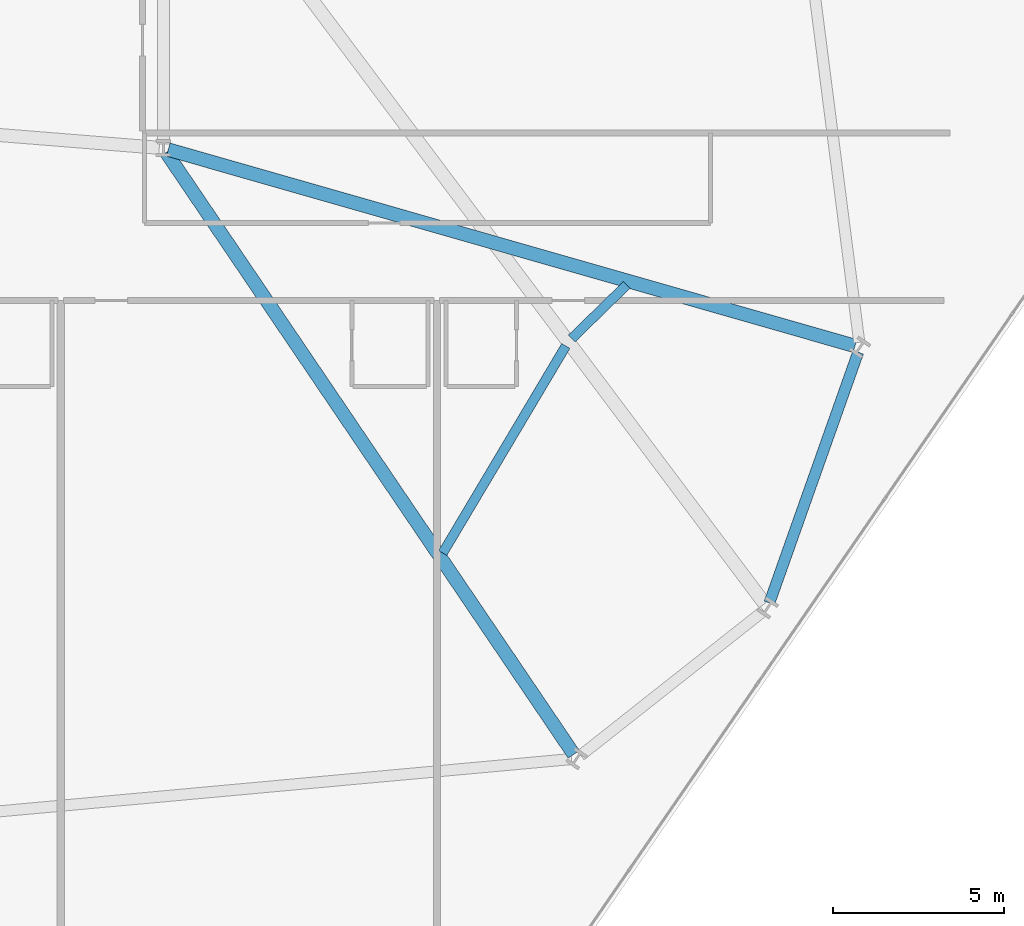
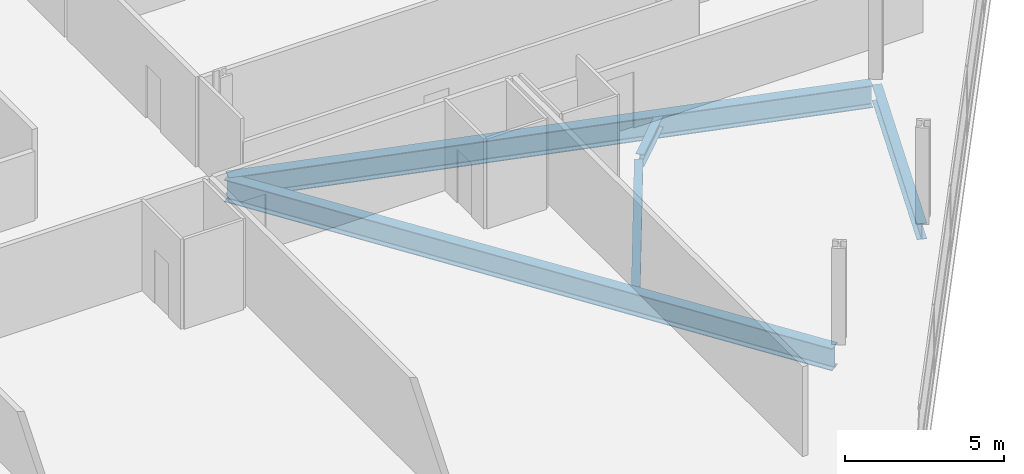
# One storey, part 8 of 24: 5 beams.
"""IFC4 building model written with IfcOpenShell, lengths in metres."""

from ifc_helpers import new_model, si_unit, direction, frame, origin, origin_2d, place, context, subcontext, project, spatial, i_section, extrude, material, material_profile, profile_set, type_object, element, save


model = new_model("IFC4")

# Units and contexts
model_context = context("Model", 3, precision=1e-05, world=origin(), true_north=direction((0.0, 1.0)))
body_context = subcontext(model_context, "Body", "Model", "MODEL_VIEW")
ifc_project = project(units=[si_unit("LENGTHUNIT", "METRE"), si_unit("AREAUNIT", "SQUARE_METRE"), si_unit("VOLUMEUNIT", "CUBIC_METRE"), si_unit("PLANEANGLEUNIT", "RADIAN"), si_unit("MASSUNIT", "GRAM", prefix="KILO")], contexts=[model_context])

# Site, building, storey
site_placement = place(None, origin())
site = spatial("IfcSite", under=ifc_project, at=site_placement, CompositionType="ELEMENT")
building_placement = place(site_placement, origin())
building = spatial("IfcBuilding", under=site, at=building_placement, Name="Varnelok Gate Tower", CompositionType="ELEMENT")
storey_placement = place(building_placement, frame((0.0, 0.0, 38.10009765625)))
storey = spatial("IfcBuildingStorey", under=building, at=storey_placement, Name="L08", CompositionType="ELEMENT", Elevation=38.10009765625)

# Beams
ifc_material = material(Name="Structural Steel ASTM A992 Grade 50", Category="steel")
ifc_material_profile_1 = material_profile(ifc_material, i_section(OverallWidth=0.280029296875, OverallDepth=0.462890625, WebThickness=0.0107421875, FlangeThickness=0.017333984375, FilletRadius=0.014892578125, at=origin_2d()), Name="W18X76")
ifc_profile_set_1 = profile_set([ifc_material_profile_1], Name="Structural Steel ASTM A992 Grade 50")
beam_type_1 = type_object("IfcBeamType", Name="BM-JST-W18X76", PredefinedType="JOIST", material=ifc_profile_set_1)
beam_1_placement = place(storey_placement, frame((62.16845703125, 6.962646484375, -0.481689453125), z_axis=(0.511024860255, 0.859565932434, 0.0), x_axis=(-0.859565932434, 0.511024860255, 0.0)))
element("IfcBeam", 1, at=beam_1_placement, inside=storey, type_object=beam_type_1, Name="L08 Sector Floor Joist 5", PredefinedType="JOIST", context=body_context, shape_type="SweptSolid", body=[
    extrude(i_section(OverallWidth=0.280029296875, OverallDepth=0.462890625, WebThickness=0.0107421875, FlangeThickness=0.017333984375, FilletRadius=0.014892578125, at=origin_2d()), origin(), (0.0, 0.0, 1.0), 7.04248046875),
])
beam_2_placement = place(storey_placement, frame((65.939208984375, 13.234130859375, -0.481689453125), z_axis=(0.716027335046, 0.698072242298, 0.0), x_axis=(-0.698072242298, 0.716027335046, 0.0)))
element("IfcBeam", 2, at=beam_2_placement, inside=storey, type_object=beam_type_1, Name="L08 Sector Floor Joist 6", PredefinedType="JOIST", context=body_context, shape_type="SweptSolid", body=[
    extrude(i_section(OverallWidth=0.280029296875, OverallDepth=0.462890625, WebThickness=0.0107421875, FlangeThickness=0.017333984375, FilletRadius=0.014892578125, at=origin_2d()), origin(), (0.0, 0.0, 1.0), 2.24365234375),
])
ifc_material_profile_2 = material_profile(ifc_material, i_section(OverallWidth=0.39892578125, OverallDepth=0.85498046875, WebThickness=0.018310546875, FlangeThickness=0.029296875, FilletRadius=0.02392578125, at=origin_2d()), Name="W33X201")
ifc_profile_set_2 = profile_set([ifc_material_profile_2], Name="Structural Steel ASTM A992 Grade 50")
beam_type_2 = type_object("IfcBeamType", Name="BM-PRI-W33X201", PredefinedType="BEAM", material=ifc_profile_set_2)
beam_3_placement = place(storey_placement, frame((54.083984375, 18.67578125, -0.677490234375), z_axis=(0.560684565433, -0.828029478995, 0.0), x_axis=(0.828029478995, 0.560684565433, 0.0)))
element("IfcBeam", 3, at=beam_3_placement, inside=storey, type_object=beam_type_2, Name="L08 Radial Floor Girder 6", PredefinedType="BEAM", context=body_context, shape_type="SweptSolid", body=[
    extrude(i_section(OverallWidth=0.39892578125, OverallDepth=0.85498046875, WebThickness=0.018310546875, FlangeThickness=0.029296875, FilletRadius=0.02392578125, at=origin_2d()), origin(), (0.0, 0.0, 1.0), 21.25390625),
])
beam_4_placement = place(storey_placement, frame((54.144287109375, 18.7587890625, -0.677490234375), z_axis=(0.961463485116, -0.274932658643, 0.0), x_axis=(0.274932658643, 0.961463485116, 0.0)))
element("IfcBeam", 4, at=beam_4_placement, inside=storey, type_object=beam_type_2, Name="L08 Radial Floor Girder 8", PredefinedType="BEAM", context=body_context, shape_type="SweptSolid", body=[
    extrude(i_section(OverallWidth=0.39892578125, OverallDepth=0.85498046875, WebThickness=0.018310546875, FlangeThickness=0.029296875, FilletRadius=0.02392578125, at=origin_2d()), origin(), (0.0, 0.0, 1.0), 20.883056640625),
])
ifc_material_profile_3 = material_profile(ifc_material, i_section(OverallWidth=0.323974609375, OverallDepth=0.611083984375, WebThickness=0.0126953125, FlangeThickness=0.01904296875, FilletRadius=0.01806640625, at=origin_2d()), Name="W24X104")
ifc_profile_set_3 = profile_set([ifc_material_profile_3], Name="Structural Steel ASTM A992 Grade 50")
beam_type_3 = type_object("IfcBeamType", Name="BM-SPN-W24X104", PredefinedType="SPANDREL", material=ifc_profile_set_3)
beam_5_placement = place(storey_placement, frame((71.72021484375, 5.50390625, -0.5556640625), z_axis=(0.333887238705, 0.942613023372, 0.0), x_axis=(-0.942613023372, 0.333887238705, 0.0)))
element("IfcBeam", 5, at=beam_5_placement, inside=storey, type_object=beam_type_3, Name="L08 Perimeter Spandrel Beam 7", PredefinedType="SPANDREL", context=body_context, shape_type="SweptSolid", body=[
    extrude(i_section(OverallWidth=0.323974609375, OverallDepth=0.611083984375, WebThickness=0.0126953125, FlangeThickness=0.01904296875, FilletRadius=0.01806640625, at=origin_2d()), origin(), (0.0, 0.0, 1.0), 7.777099609375),
])

save(model, "model.ifc")
